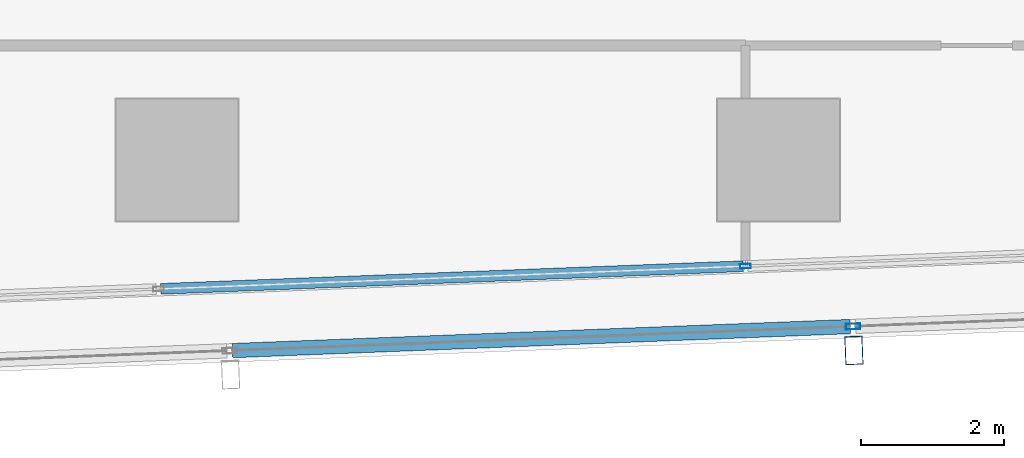
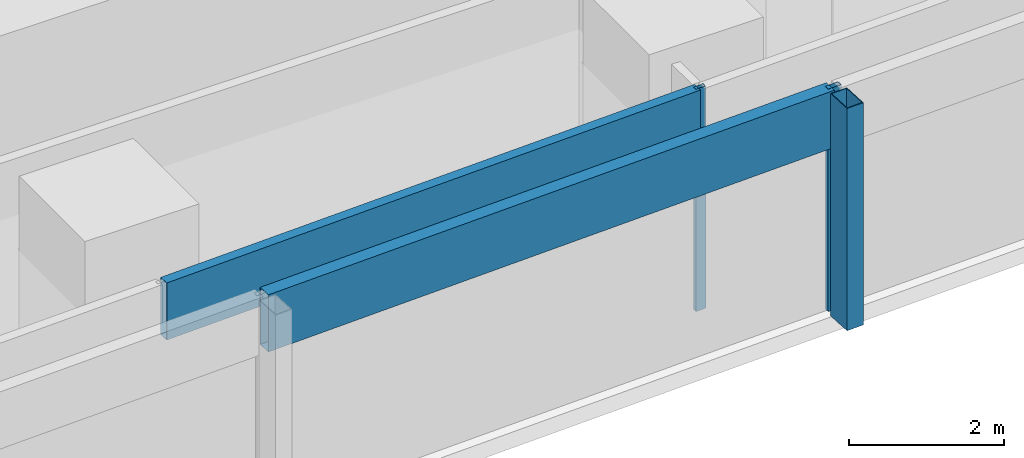
# One storey, part 10 of 40: 5 members, 2 elements without a shape of their own.
"""IFC4 building model written with IfcOpenShell, lengths in metres."""

from ifc_helpers import new_model, si_unit, direction, frame, origin, origin_2d, place, context, subcontext, project, spatial, hollow_rectangle, extrude, material, material_profile, profile_set, type_object, element, aggregate, save


model = new_model("IFC4")

# Units and contexts
model_context = context("Model", 3, precision=1e-05, world=origin(), true_north=direction((0.0, 1.0)))
body_context = subcontext(model_context, "Body", "Model", "MODEL_VIEW")
ifc_project = project(units=[si_unit("LENGTHUNIT", "METRE"), si_unit("AREAUNIT", "SQUARE_METRE"), si_unit("VOLUMEUNIT", "CUBIC_METRE"), si_unit("PLANEANGLEUNIT", "RADIAN"), si_unit("MASSUNIT", "GRAM", prefix="KILO")], contexts=[model_context])

# Site, building, storey
site_placement = place(None, origin())
site = spatial("IfcSite", under=ifc_project, at=site_placement, CompositionType="ELEMENT")
building_placement = place(site_placement, origin())
building = spatial("IfcBuilding", under=site, at=building_placement, Name="Rekha Terrace Tower", CompositionType="ELEMENT")
storey_placement = place(building_placement, frame((0.0, 0.0, 102.800048828125)))
storey = spatial("IfcBuildingStorey", under=building, at=storey_placement, Name="L25", CompositionType="ELEMENT", Elevation=102.800048828125)

# Curtain wall, member
ifc_material_1 = material(Name="Aluminium framing", Category="aluminium")
curtain_wall_type_1 = type_object("IfcCurtainWallType", Name="CW2 double skin outer glazing", PredefinedType="USERDEFINED", material=ifc_material_1)
curtain_wall_1_placement = place(storey_placement, origin())
curtain_wall_1 = element("IfcCurtainWall", 1, at=curtain_wall_1_placement, inside=storey, type_object=curtain_wall_type_1, Name="CW2 double skin outer glazing", ObjectType="DOUBLE SKIN OUTER GLAZING", PredefinedType="USERDEFINED")
ifc_material_2 = material(Name="Steel S355 with fluorocarbon finish", Category="steel")
ifc_material_profile_1 = material_profile(ifc_material_2, hollow_rectangle(XDim=0.25, YDim=0.39990234375, WallThickness=0.012451171875, at=origin_2d()), Name="RHS400x250x12.5")
ifc_profile_set_1 = profile_set([ifc_material_profile_1], Name="Steel S355 with fluorocarbon finish")
member_type_1 = type_object("IfcMemberType", Name="BL1 facade blade RHS 400 x 250", PredefinedType="USERDEFINED", material=ifc_profile_set_1)
member_1_placement = place(storey_placement, frame((51.4521484375, 14.141845703125, 0.0), z_axis=(0.0, 0.0, 1.0), x_axis=(0.999243494356, 0.038890088543, 0.0)))
member_1 = element("IfcMember", 2, at=member_1_placement, type_object=member_type_1, Name="Facade blade", ObjectType="FACADE BLADE", PredefinedType="USERDEFINED", context=body_context, shape_type="SweptSolid", body=[
    extrude(hollow_rectangle(XDim=0.25, YDim=0.39990234375, WallThickness=0.012451171875, at=origin_2d()), origin(), (0.0, 0.0, 1.0), 3.5),
])

# Curtain wall, members
curtain_wall_type_2 = type_object("IfcCurtainWallType", Name="CW1 double skin inner glazing", PredefinedType="USERDEFINED", material=ifc_material_1)
curtain_wall_2_placement = place(storey_placement, origin())
curtain_wall_2 = element("IfcCurtainWall", 3, at=curtain_wall_2_placement, inside=storey, type_object=curtain_wall_type_2, Name="CW1 double skin inner glazing", ObjectType="DOUBLE SKIN INNER GLAZING", PredefinedType="USERDEFINED")
ifc_material_3 = material(Name="Aluminium mullion section", Category="aluminium")
ifc_material_profile_2 = material_profile(ifc_material_3, hollow_rectangle(XDim=0.06494140625, YDim=0.14990234375, WallThickness=0.00390625, at=origin_2d()), Name="AL RHS 65x150")
ifc_profile_set_2 = profile_set([ifc_material_profile_2], Name="Aluminium mullion section")
member_type_2 = type_object("IfcMemberType", Name="CW1 mullion RHS 65 x 150", PredefinedType="MULLION", material=ifc_profile_set_2)
member_2_placement = place(storey_placement, frame((49.936767578125, 15.31884765625, 0.0), z_axis=(0.0, 0.0, 1.0), x_axis=(-0.038889971345, 0.999243498917, 0.0)))
member_2 = element("IfcMember", 4, at=member_2_placement, type_object=member_type_2, Name="CW1 mullion 4", PredefinedType="MULLION", context=body_context, shape_type="SweptSolid", body=[
    extrude(hollow_rectangle(XDim=0.06494140625, YDim=0.14990234375, WallThickness=0.00390625, at=origin_2d()), origin(), (0.0, 0.0, 1.0), 3.5),
])
ifc_material_4 = material(Name="Insulated aluminium spandrel box", Category="aluminium")
ifc_material_profile_3 = material_profile(ifc_material_4, hollow_rectangle(XDim=0.14990234375, YDim=0.89990234375, WallThickness=0.0029296875, at=origin_2d()), Name="AL SPANDREL BOX 150x900")
ifc_profile_set_3 = profile_set([ifc_material_profile_3], Name="Insulated aluminium spandrel box")
member_type_3 = type_object("IfcMemberType", Name="CW1 spandrel transom 150 x 900", PredefinedType="USERDEFINED", material=ifc_profile_set_3)
member_3_placement = place(storey_placement, frame((41.772705078125, 15.001220703125, 3.050048828125), z_axis=(0.999243835719, 0.038881316573, 0.0), x_axis=(-0.038881316573, 0.999243835719, 0.0)))
member_3 = element("IfcMember", 5, at=member_3_placement, type_object=member_type_3, Name="CW1 spandrel transom 3", ObjectType="TRANSOM", PredefinedType="USERDEFINED", context=body_context, shape_type="SweptSolid", body=[
    extrude(hollow_rectangle(XDim=0.14990234375, YDim=0.89990234375, WallThickness=0.0029296875, at=origin_2d()), origin(), (0.0, 0.0, 1.0), 8.1376953125),
])
aggregate(curtain_wall_2, [member_2, member_3])

# Member
ifc_material_profile_4 = material_profile(ifc_material_3, hollow_rectangle(XDim=0.080078125, YDim=0.199951171875, WallThickness=0.00390625, at=origin_2d()), Name="AL RHS 80x200")
ifc_profile_set_4 = profile_set([ifc_material_profile_4], Name="Aluminium mullion section")
member_type_4 = type_object("IfcMemberType", Name="CW2 mullion RHS 80 x 200", PredefinedType="MULLION", material=ifc_profile_set_4)
member_4_placement = place(storey_placement, frame((51.439208984375, 14.4765625, 0.0), z_axis=(0.0, 0.0, 1.0), x_axis=(-0.038889971345, 0.999243498917, 0.0)))
member_4 = element("IfcMember", 6, at=member_4_placement, type_object=member_type_4, Name="CW2 mullion 4", PredefinedType="MULLION", context=body_context, shape_type="SweptSolid", body=[
    extrude(hollow_rectangle(XDim=0.080078125, YDim=0.199951171875, WallThickness=0.00390625, at=origin_2d()), origin(), (0.0, 0.0, 1.0), 3.5),
])

ifc_material_profile_5 = material_profile(ifc_material_4, hollow_rectangle(XDim=0.199951171875, YDim=0.89990234375, WallThickness=0.0029296875, at=origin_2d()), Name="AL SPANDREL BOX 200x900")
ifc_profile_set_5 = profile_set([ifc_material_profile_5], Name="Insulated aluminium spandrel box")
member_type_5 = type_object("IfcMemberType", Name="CW2 spandrel transom 200 x 900", PredefinedType="USERDEFINED", material=ifc_profile_set_5)
member_5_placement = place(storey_placement, frame((42.774169921875, 14.139404296875, 3.050048828125), z_axis=(0.999243438523, 0.038891523097, 0.0), x_axis=(-0.038891523097, 0.999243438523, 0.0)))
member_5 = element("IfcMember", 7, at=member_5_placement, type_object=member_type_5, Name="CW2 spandrel transom 3", ObjectType="TRANSOM", PredefinedType="USERDEFINED", context=body_context, shape_type="SweptSolid", body=[
    extrude(hollow_rectangle(XDim=0.199951171875, YDim=0.89990234375, WallThickness=0.0029296875, at=origin_2d()), origin(), (0.0, 0.0, 1.0), 8.631591796875),
])

aggregate(curtain_wall_1, [member_4, member_5, member_1])

save(model, "model.ifc")
